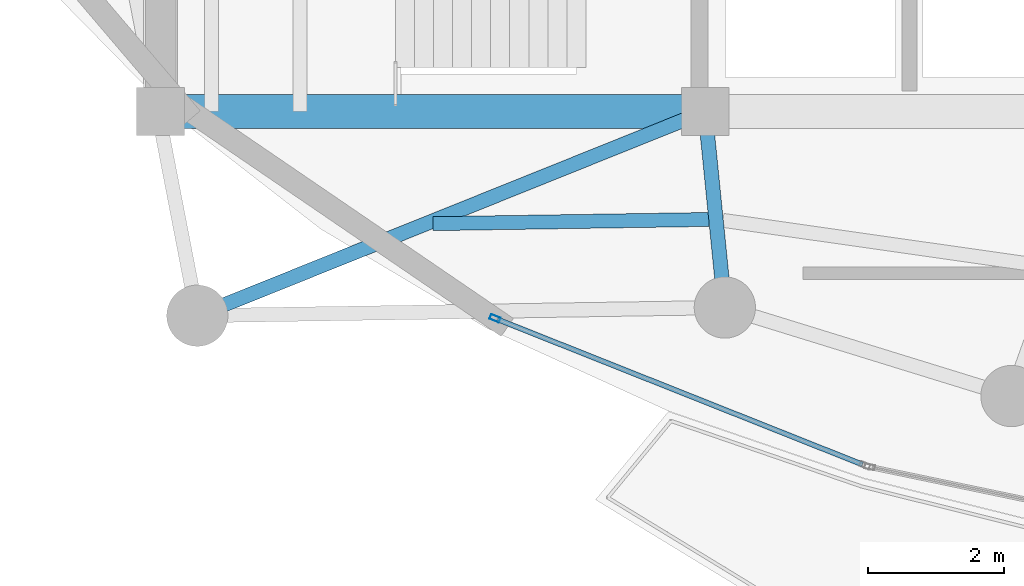
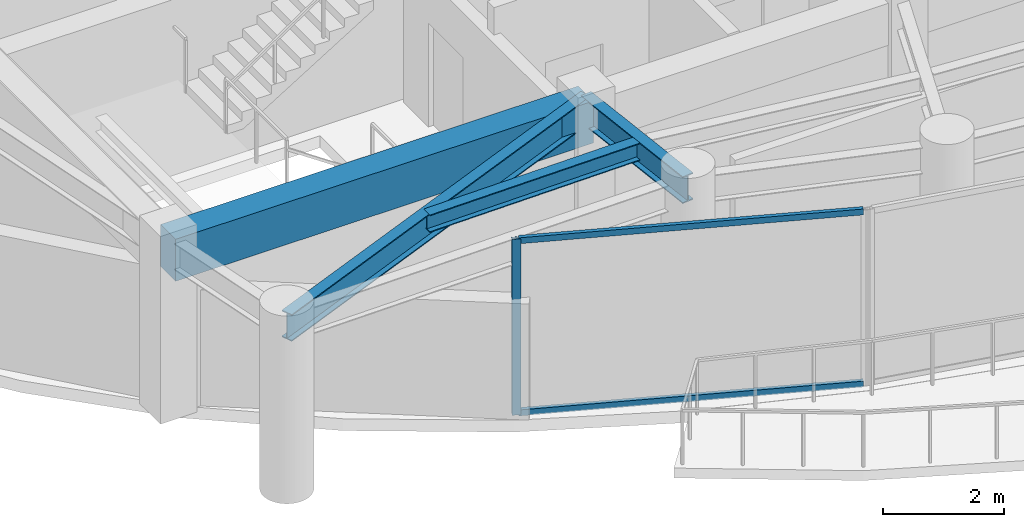
# One storey, part 2 of 23: 4 beams, 3 members, 1 element without a shape of its own.
"""IFC4 building model written with IfcOpenShell, lengths in metres."""

import ifcopenshell
import ifcopenshell.guid

model = None  # the IFC model being written
_history = None  # IfcOwnerHistory: only IFC2X3 demands one
_inside = {}  # id of a spatial element -> (the spatial element, [elements in it])
_under = {}  # id of a project, library or spatial element -> (it, [spatial elements below it])
_declared = {}  # id of a project -> (the project, [libraries it declares])
_typed = {}  # id of a type object -> (the type object, [elements of that type])
_made_of = {}  # id of a material, layer set ... -> (it, [elements and type objects made of it])


def new_model(schema):
    """Start an empty IFC model of exactly this schema.

    Asked for "IFC4X3", IfcOpenShell would pick the latest addendum, in which some entities
    have other attributes; the version numbers below select the first issue.
    IFC2X3 requires an IfcOwnerHistory on every rooted entity: one is made here for all.
    """
    global model, _history
    if schema == "IFC4X3":
        model = ifcopenshell.file(schema_version=(4, 3, 0, 0))
    else:
        model = ifcopenshell.file(schema=schema)
    _inside.clear()
    _under.clear()
    _declared.clear()
    _typed.clear()
    _made_of.clear()
    _history = None
    if model.schema == "IFC2X3":
        org = make("IfcOrganization", Name="unknown")
        user = make(
            "IfcPersonAndOrganization",
            ThePerson=make("IfcPerson", FamilyName="unknown"),
            TheOrganization=org,
        )
        app = make(
            "IfcApplication",
            ApplicationDeveloper=org,
            Version="unknown",
            ApplicationFullName="unknown",
            ApplicationIdentifier="unknown",
        )
        _history = make(
            "IfcOwnerHistory",
            OwningUser=user,
            OwningApplication=app,
            ChangeAction="ADDED",
            CreationDate=0,
        )
    return model


def make(cls, **values):
    """One entity of the class cls with the attributes given. An attribute that is None is left unset."""
    return model.create_entity(
        cls, **{name: value for name, value in values.items() if value is not None}
    )


def rooted(cls, **values):
    """An entity with a GlobalId (a new one), such as an element, a storey or a relation."""
    return make(cls, GlobalId=ifcopenshell.guid.new(), OwnerHistory=_history, **values)


def si_unit(unit_type, name, prefix=None):
    """IfcSIUnit, for example si_unit("LENGTHUNIT", "METRE", prefix="MILLI")."""
    return make("IfcSIUnit", UnitType=unit_type, Prefix=prefix, Name=name)


def assignment(units):
    """IfcUnitAssignment: the units of a project."""
    return None if units is None else make("IfcUnitAssignment", Units=units)


def point(xyz):
    """IfcCartesianPoint."""
    return None if xyz is None else make("IfcCartesianPoint", Coordinates=xyz)


def direction(xyz):
    """IfcDirection."""
    return None if xyz is None else make("IfcDirection", DirectionRatios=xyz)


def frame(location, z_axis=None, x_axis=None):
    """IfcAxis2Placement3D, a coordinate frame: its origin and axes. An axis left out is left unset."""
    return make(
        "IfcAxis2Placement3D",
        Location=point(location),
        Axis=direction(z_axis),
        RefDirection=direction(x_axis),
    )


def frame_2d(location, x_axis=None):
    """IfcAxis2Placement2D, a coordinate frame in the plane: its origin and x axis."""
    return make(
        "IfcAxis2Placement2D", Location=point(location), RefDirection=direction(x_axis)
    )


def origin():
    """The frame at (0, 0, 0) with its axes left unset."""
    return frame((0.0, 0.0, 0.0))


def origin_2d():
    """The frame at (0, 0) in the plane with its x axis left unset."""
    return frame_2d((0.0, 0.0))


def place(relative_to, where):
    """IfcLocalPlacement: puts the frame where relative to a parent placement (None: the world)."""
    return make(
        "IfcLocalPlacement", PlacementRelTo=relative_to, RelativePlacement=where
    )


def context(
    kind, dimensions, precision=None, world=None, true_north=None, identifier=None
):
    """IfcGeometricRepresentationContext, for example the 3D "Model" context."""
    return make(
        "IfcGeometricRepresentationContext",
        ContextIdentifier=identifier,
        ContextType=kind,
        CoordinateSpaceDimension=dimensions,
        Precision=precision,
        WorldCoordinateSystem=world,
        TrueNorth=true_north,
    )


def subcontext(parent, identifier, kind, view, scale=None):
    """IfcGeometricRepresentationSubContext, for example "Body" below "Model"."""
    return make(
        "IfcGeometricRepresentationSubContext",
        ContextIdentifier=identifier,
        ContextType=kind,
        ParentContext=parent,
        TargetScale=scale,
        TargetView=view,
    )


def project(units=None, contexts=None):
    """IfcProject with its units and contexts."""
    return rooted(
        "IfcProject",
        Name="project",
        RepresentationContexts=contexts,
        UnitsInContext=assignment(units),
    )


def spatial(cls, under=None, at=None, **own):
    """A site, building, storey or space (cls), placed at a placement, below another one or the project."""
    s = rooted(cls, ObjectPlacement=at, **own)
    if under is not None:
        _under.setdefault(under.id(), (under, []))[1].append(s)
    return s


def profile(cls, at=None, kind="AREA", **sizes):
    """A parametric profile (cls). Its sizes go by their IFC names, for example OverallWidth=200.0."""
    return make(cls, ProfileType=kind, Position=at, **sizes)


def rectangle(**sizes):
    """IfcRectangleProfileDef."""
    return profile("IfcRectangleProfileDef", **sizes)


def hollow_rectangle(**sizes):
    """IfcRectangleHollowProfileDef."""
    return profile("IfcRectangleHollowProfileDef", **sizes)


def i_section(**sizes):
    """IfcIShapeProfileDef."""
    return profile("IfcIShapeProfileDef", **sizes)


def extrude(swept, where, along, depth):
    """IfcExtrudedAreaSolid: the profile swept, set in the frame where, extruded along a direction by depth."""
    return make(
        "IfcExtrudedAreaSolid",
        SweptArea=swept,
        Position=where,
        ExtrudedDirection=direction(along),
        Depth=depth,
    )


def shape(context_of_items, identifier, shape_type, items):
    """IfcShapeRepresentation: the items that make up one representation, for example the "Body"."""
    return make(
        "IfcShapeRepresentation",
        ContextOfItems=context_of_items,
        RepresentationIdentifier=identifier,
        RepresentationType=shape_type,
        Items=items,
    )


def material(Name=None, Category=None):
    """IfcMaterial."""
    return make("IfcMaterial", Name=Name, Category=Category)


def layer(
    of_material, thickness, ventilated=None, Name=None, Category=None, Priority=None
):
    """IfcMaterialLayer: one layer of a wall or slab, of a material (None: an air gap)."""
    return make(
        "IfcMaterialLayer",
        Material=of_material,
        LayerThickness=thickness,
        IsVentilated=ventilated,
        Name=Name,
        Category=Category,
        Priority=Priority,
    )


def layer_set(layers, Name=None):
    """IfcMaterialLayerSet."""
    return make("IfcMaterialLayerSet", MaterialLayers=layers, LayerSetName=Name)


def material_profile(
    of_material, cross_section, Name=None, Category=None, Priority=None
):
    """IfcMaterialProfile: a cross section and its material."""
    return make(
        "IfcMaterialProfile",
        Name=Name,
        Material=of_material,
        Profile=cross_section,
        Priority=Priority,
        Category=Category,
    )


def profile_set(profiles, Name=None, composite=None):
    """IfcMaterialProfileSet."""
    return make(
        "IfcMaterialProfileSet",
        Name=Name,
        MaterialProfiles=profiles,
        CompositeProfile=composite,
    )


def made_of(thing, what):
    """Note that an element or type object is made of a material, layer set ...; save() writes the relation."""
    if what is not None:
        _made_of.setdefault(what.id(), (what, []))[1].append(thing)
    return thing


def type_object(cls, material=None, **own):
    """A type object (cls), such as IfcWallType, which elements share."""
    return made_of(rooted(cls, **own), material)


def element(
    cls,
    number,
    at=None,
    inside=None,
    cuts=None,
    type_object=None,
    material=None,
    context=None,
    identifier="Body",
    shape_type=None,
    held_by="IfcProductDefinitionShape",
    body=None,
    shapes=None,
    **own,
):
    """One element of the class cls, such as IfcWall. Its Tag is "e" and its number.

    at: its placement. inside: the storey or other place that contains it. cuts: it is an
    opening in that element (IfcRelVoidsElement). A single representation is given by context,
    identifier, shape_type and body (its items); several are given by shapes. held_by: the class
    of the entity that holds the representations. save() writes the other relations.
    """
    e = rooted(cls, Tag="e%d" % number, ObjectPlacement=at, **own)
    if body is not None:
        shapes = [shape(context, identifier, shape_type, body)]
    if shapes is not None:
        e.Representation = make(held_by, Representations=shapes)
    if inside is not None:
        _inside.setdefault(inside.id(), (inside, []))[1].append(e)
    if cuts is not None:
        rooted(
            "IfcRelVoidsElement", RelatingBuildingElement=cuts, RelatedOpeningElement=e
        )
    if type_object is not None:
        _typed.setdefault(type_object.id(), (type_object, []))[1].append(e)
    return made_of(e, material)


def aggregate(whole, parts):
    """IfcRelAggregates: a whole, such as a stair, and the parts it consists of."""
    return rooted("IfcRelAggregates", RelatingObject=whole, RelatedObjects=parts)


def save(model, path):
    """Write the relations noted so far, then the file.

    IfcRelAggregates (storeys below a building ...), IfcRelContainedInSpatialStructure (elements
    in a storey), IfcRelDefinesByType, IfcRelAssociatesMaterial and IfcRelDeclares: one each for
    every whole, place, type object, material and project.
    """
    for whole, parts in _under.values():
        aggregate(whole, parts)
    for where, things in _inside.values():
        rooted(
            "IfcRelContainedInSpatialStructure",
            RelatedElements=things,
            RelatingStructure=where,
        )
    for kind, things in _typed.values():
        rooted("IfcRelDefinesByType", RelatedObjects=things, RelatingType=kind)
    for what, things in _made_of.values():
        rooted("IfcRelAssociatesMaterial", RelatedObjects=things, RelatingMaterial=what)
    for by, libraries in _declared.values():
        rooted("IfcRelDeclares", RelatingContext=by, RelatedDefinitions=libraries)
    model.write(path)


model = new_model("IFC4")

# Units and contexts
model_context = context("Model", 3, precision=1e-05, world=origin(), true_north=direction((0.0, 1.0)))
body_context = subcontext(model_context, "Body", "Model", "MODEL_VIEW")
ifc_project = project(units=[si_unit("LENGTHUNIT", "METRE"), si_unit("AREAUNIT", "SQUARE_METRE"), si_unit("VOLUMEUNIT", "CUBIC_METRE"), si_unit("PLANEANGLEUNIT", "RADIAN"), si_unit("MASSUNIT", "GRAM", prefix="KILO")], contexts=[model_context])

# Site, building, storey
site_placement = place(None, origin())
site = spatial("IfcSite", under=ifc_project, at=site_placement, CompositionType="ELEMENT")
building_placement = place(site_placement, origin())
building = spatial("IfcBuilding", under=site, at=building_placement, Name="Kazevale Care Tower and Concert Hall", CompositionType="ELEMENT")
storey_placement = place(building_placement, frame((0.0, 0.0, 266.199951171875)))
storey = spatial("IfcBuildingStorey", under=building, at=storey_placement, Name="L70", CompositionType="ELEMENT", Elevation=266.199951171875)

# Curtain wall, members
ifc_material_1 = material(Name="Aluminium 6063-T6 and Low-E Glass", Category="aluminium")
ifc_layer = layer(ifc_material_1, 0.179931640625)
ifc_layer_set = layer_set([ifc_layer], Name="Aluminium 6063-T6 and Low-E Glass")
curtain_wall_type = type_object("IfcCurtainWallType", Name="Sheltered Concave Balcony Curtain Wall CW-5", PredefinedType="NOTDEFINED", material=ifc_layer_set)
curtain_wall_placement = place(storey_placement, origin())
curtain_wall = element("IfcCurtainWall", 1, at=curtain_wall_placement, inside=storey, type_object=curtain_wall_type, Name="cw:L70:f04", PredefinedType="NOTDEFINED")
ifc_material_2 = material(Name="Aluminium 6063-T6", Category="aluminium")
ifc_material_profile_1 = material_profile(ifc_material_2, hollow_rectangle(XDim=0.074951171875, YDim=0.14990234375, WallThickness=0.00390625, at=origin_2d()), Name="ALU75x150x4")
ifc_profile_set_1 = profile_set([ifc_material_profile_1], Name="Aluminium 6063-T6")
member_type_1 = type_object("IfcMemberType", Name="CW-5 Mullion ALU75x150x4", PredefinedType="MULLION", material=ifc_profile_set_1)
member_1_placement = place(storey_placement, frame((26.912841796875, 20.56103515625, 0.0), z_axis=(0.0, 0.0, 1.0), x_axis=(-0.369556171894, -0.929208392028, 0.0)))
member_1 = element("IfcMember", 2, at=member_1_placement, type_object=member_type_1, Name="CW-5 mullion 2", PredefinedType="MULLION", context=body_context, shape_type="SweptSolid", body=[
    extrude(hollow_rectangle(XDim=0.074951171875, YDim=0.14990234375, WallThickness=0.00390625, at=origin_2d()), origin(), (0.0, 0.0, 1.0), 3.56005859375),
])
ifc_material_profile_2 = material_profile(ifc_material_2, hollow_rectangle(XDim=0.074951171875, YDim=0.1201171875, WallThickness=0.00390625, at=origin_2d()), Name="ALU75x120x4")
ifc_profile_set_2 = profile_set([ifc_material_profile_2], Name="Aluminium 6063-T6")
member_type_2 = type_object("IfcMemberType", Name="CW-5 Transom ALU75x120x4", PredefinedType="USERDEFINED", material=ifc_profile_set_2)
member_2_placement = place(storey_placement, frame((32.312255859375, 18.413818359375, 0.03759765625), z_axis=(-0.92920691716, 0.369559880265, 0.0), x_axis=(-0.369559880265, -0.92920691716, 0.0)))
member_2 = element("IfcMember", 3, at=member_2_placement, type_object=member_type_2, Name="CW-5 transom 1.1", ObjectType="TRANSOM", PredefinedType="USERDEFINED", context=body_context, shape_type="SweptSolid", body=[
    extrude(hollow_rectangle(XDim=0.074951171875, YDim=0.1201171875, WallThickness=0.00390625, at=origin_2d()), origin(), (0.0, 0.0, 1.0), 5.773193359375),
])
member_3_placement = place(storey_placement, frame((32.312255859375, 18.413818359375, 3.5224609375), z_axis=(-0.92920691716, 0.369559880265, 0.0), x_axis=(-0.369559880265, -0.92920691716, 0.0)))
member_3 = element("IfcMember", 4, at=member_3_placement, type_object=member_type_2, Name="CW-5 transom 1.2", ObjectType="TRANSOM", PredefinedType="USERDEFINED", context=body_context, shape_type="SweptSolid", body=[
    extrude(hollow_rectangle(XDim=0.074951171875, YDim=0.1201171875, WallThickness=0.00390625, at=origin_2d()), origin(), (0.0, 0.0, 1.0), 5.773193359375),
])
aggregate(curtain_wall, [member_1, member_2, member_3])

# Beams
ifc_material_3 = material(Name="Concrete C60", Category="concrete")
ifc_material_profile_3 = material_profile(ifc_material_3, rectangle(XDim=0.5, YDim=0.85009765625, at=origin_2d()), Name="RC-B500x850")
ifc_profile_set_3 = profile_set([ifc_material_profile_3], Name="Concrete C60")
beam_type_1 = type_object("IfcBeamType", Name="Core Coupling Beam RC500x850", PredefinedType="LINTEL", material=ifc_profile_set_3)
beam_1_placement = place(storey_placement, frame((22.0, 23.60009765625, 3.135009765625), z_axis=(1.0, 0.0, 0.0), x_axis=(0.0, 1.0, 0.0)))
element("IfcBeam", 5, at=beam_1_placement, inside=storey, type_object=beam_type_1, Name="beam:L70:coretie:1", PredefinedType="LINTEL", context=body_context, shape_type="SweptSolid", body=[
    extrude(rectangle(XDim=0.5, YDim=0.85009765625, at=origin_2d()), origin(), (0.0, 0.0, 1.0), 8.0),
])
ifc_material_4 = material(Name="Steel ASTM A572 Gr 50", Category="steel")
ifc_material_profile_4 = material_profile(ifc_material_4, i_section(OverallWidth=0.2119140625, OverallDepth=0.5439453125, WebThickness=0.01318359375, FlangeThickness=0.021240234375, at=origin_2d()), Name="W530x123")
ifc_profile_set_4 = profile_set([ifc_material_profile_4], Name="Steel ASTM A572 Gr 50")
beam_type_2 = type_object("IfcBeamType", Name="Radial Floor Girder W530x123", PredefinedType="BEAM", material=ifc_profile_set_4)
beam_2_placement = place(storey_placement, frame((30.0, 23.60009765625, 3.2880859375), z_axis=(-0.927788258921, -0.373107151644, 0.0), x_axis=(0.373107151644, -0.927788258921, 0.0)))
element("IfcBeam", 6, at=beam_2_placement, inside=storey, type_object=beam_type_2, Name="beam:L70:rad:10", PredefinedType="BEAM", context=body_context, shape_type="SweptSolid", body=[
    extrude(i_section(OverallWidth=0.2119140625, OverallDepth=0.5439453125, WebThickness=0.01318359375, FlangeThickness=0.021240234375, at=origin_2d()), origin(), (0.0, 0.0, 1.0), 8.04052734375),
])
beam_3_placement = place(storey_placement, frame((30.0, 23.60009765625, 3.2880859375), z_axis=(0.100196792003, -0.994967639108, 0.0), x_axis=(0.994967639108, 0.100196792003, 0.0)))
element("IfcBeam", 7, at=beam_3_placement, inside=storey, type_object=beam_type_2, Name="beam:L70:rad:11", PredefinedType="BEAM", context=body_context, shape_type="SweptSolid", body=[
    extrude(i_section(OverallWidth=0.2119140625, OverallDepth=0.5439453125, WebThickness=0.01318359375, FlangeThickness=0.021240234375, at=origin_2d()), origin(), (0.0, 0.0, 1.0), 2.894775390625),
])
ifc_material_profile_5 = material_profile(ifc_material_4, i_section(OverallWidth=0.205078125, OverallDepth=0.35400390625, WebThickness=0.009521484375, FlangeThickness=0.016845703125, at=origin_2d()), Name="W360x79")
ifc_profile_set_5 = profile_set([ifc_material_profile_5], Name="Steel ASTM A572 Gr 50")
beam_type_3 = type_object("IfcBeamType", Name="Secondary Floor Joist W360x79", PredefinedType="JOIST", material=ifc_profile_set_5)
beam_4_placement = place(storey_placement, frame((26.001953125, 21.951904296875, 3.383056640625), z_axis=(0.999882971215, 0.015298492542, 0.0), x_axis=(-0.015298492542, 0.999882971215, 0.0)))
element("IfcBeam", 8, at=beam_4_placement, inside=storey, type_object=beam_type_3, Name="beam:L70:joist:10", PredefinedType="JOIST", context=body_context, shape_type="SweptSolid", body=[
    extrude(i_section(OverallWidth=0.205078125, OverallDepth=0.35400390625, WebThickness=0.009521484375, FlangeThickness=0.016845703125, at=origin_2d()), origin(), (0.0, 0.0, 1.0), 4.053466796875),
])

save(model, "model.ifc")
